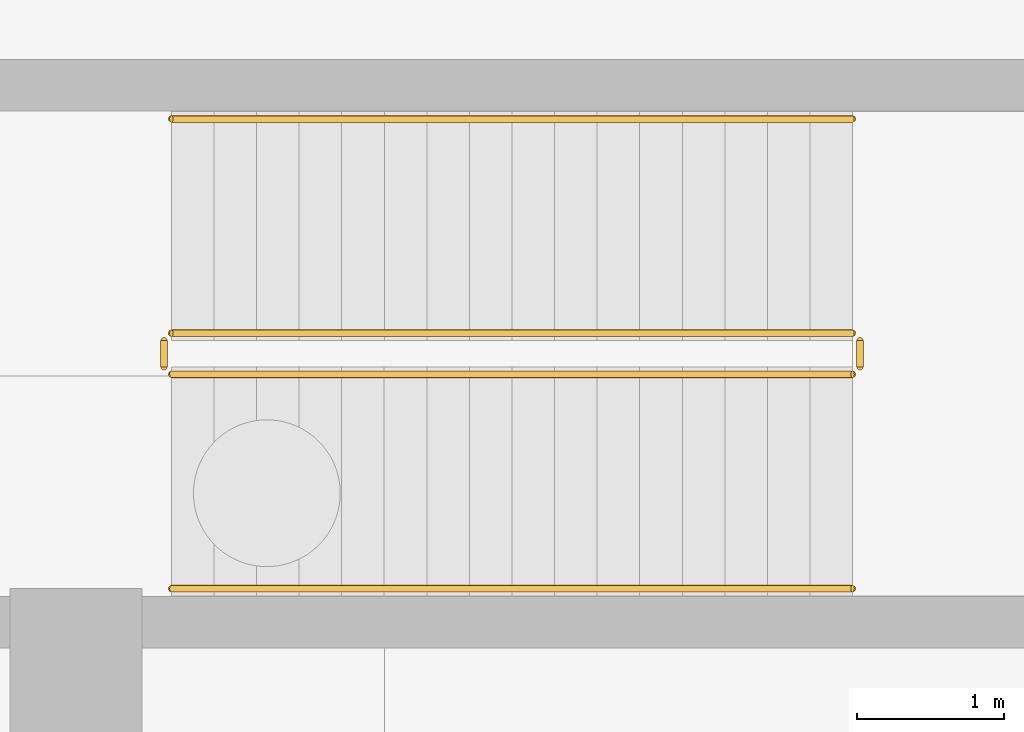
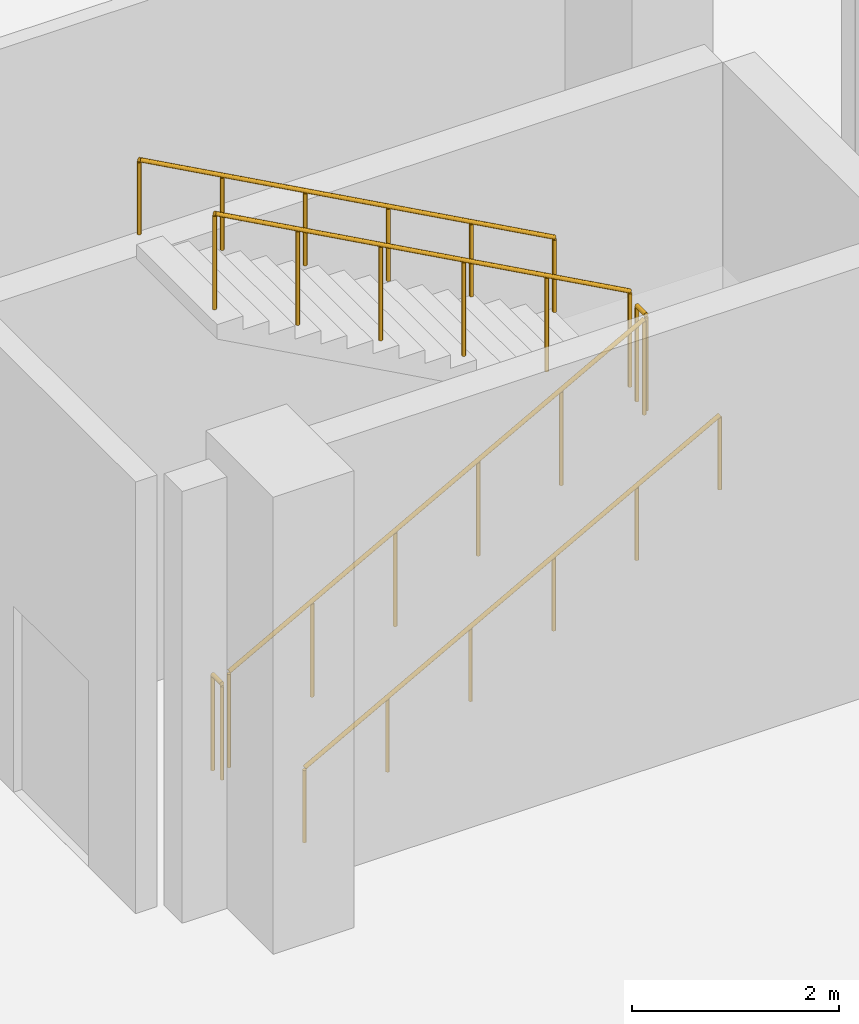
# One storey, part 18 of 20: 6 railings.
"""IFC4 building model written with IfcOpenShell, lengths in metres."""

from ifc_helpers import new_model, si_unit, direction, frame, origin, origin_2d, place, context, subcontext, project, spatial, circle, extrude, material, type_object, element, save


model = new_model("IFC4")

# Units and contexts
model_context = context("Model", 3, precision=1e-05, world=origin(), true_north=direction((0.0, 1.0)))
body_context = subcontext(model_context, "Body", "Model", "MODEL_VIEW")
ifc_project = project(units=[si_unit("LENGTHUNIT", "METRE"), si_unit("AREAUNIT", "SQUARE_METRE"), si_unit("VOLUMEUNIT", "CUBIC_METRE"), si_unit("PLANEANGLEUNIT", "RADIAN"), si_unit("MASSUNIT", "GRAM", prefix="KILO")], contexts=[model_context])

# Site, building, storey
site_placement = place(None, origin())
site = spatial("IfcSite", under=ifc_project, at=site_placement, CompositionType="ELEMENT")
building_placement = place(site_placement, origin())
building = spatial("IfcBuilding", under=site, at=building_placement, Name="Shengluoqiao Park Theatre", CompositionType="ELEMENT")
storey_placement = place(building_placement, frame((0.0, 0.0, -5.39990234375)))
storey = spatial("IfcBuildingStorey", under=building, at=storey_placement, Name="B1", CompositionType="ELEMENT", Elevation=-5.39990234375)

# Railings
ifc_material_1 = material(Name="Painted steel", Category="steel")
railing_type_1 = type_object("IfcRailingType", Name="INT-RL-STGRD", PredefinedType="GUARDRAIL", material=ifc_material_1)
railing_1_placement = place(storey_placement, frame((104.64990234375, 86.110107421875, 0.15869140625)))
element("IfcRailing", 1, at=railing_1_placement, inside=storey, type_object=railing_type_1, Name="B1 ST-05 stair guard 1", PredefinedType="GUARDRAIL", context=body_context, shape_type="SweptSolid", body=[
    extrude(circle(Radius=0.02392578125, at=origin_2d()), frame((0.0, 0.0, 1.1259765625), z_axis=(0.877077751873, 0.0, 0.480348433087), x_axis=(0.0, 1.0, 0.0)), (0.0, 0.0, 1.0), 5.29052734375),
    extrude(circle(Radius=0.02099609375, at=origin_2d()), origin(), (0.0, 0.0, 1.0), 1.101806640625),
    extrude(circle(Radius=0.02099609375, at=origin_2d()), frame((0.927978515625, 0.0, 0.50830078125)), (0.0, 0.0, 1.0), 1.101806640625),
    extrude(circle(Radius=0.02099609375, at=origin_2d()), frame((1.85595703125, 0.0, 1.0166015625)), (0.0, 0.0, 1.0), 1.101806640625),
    extrude(circle(Radius=0.02099609375, at=origin_2d()), frame((2.7841796875, 0.0, 1.524658203125)), (0.0, 0.0, 1.0), 1.101806640625),
    extrude(circle(Radius=0.02099609375, at=origin_2d()), frame((3.712158203125, 0.0, 2.032958984375)), (0.0, 0.0, 1.0), 1.101806640625),
    extrude(circle(Radius=0.02099609375, at=origin_2d()), frame((4.64013671875, 0.0, 2.541259765625)), (0.0, 0.0, 1.0), 1.101806640625),
])
railing_2_placement = place(storey_placement, frame((109.340087890625, 86.159912109375, 2.699951171875)))
element("IfcRailing", 2, at=railing_2_placement, inside=storey, type_object=railing_type_1, Name="B1 ST-05 stair guard 2", PredefinedType="GUARDRAIL", context=body_context, shape_type="SweptSolid", body=[
    extrude(circle(Radius=0.02392578125, at=origin_2d()), frame((0.0, 0.0, 1.1259765625), z_axis=(0.0, 1.0, 0.0), x_axis=(-1.0, 0.0, 0.0)), (0.0, 0.0, 1.0), 0.18017578125),
    extrude(circle(Radius=0.02099609375, at=origin_2d()), origin(), (0.0, 0.0, 1.0), 1.101806640625),
    extrude(circle(Radius=0.02099609375, at=origin_2d()), frame((0.0, 0.18017578125, 0.0)), (0.0, 0.0, 1.0), 1.101806640625),
])
railing_3_placement = place(storey_placement, frame((109.2900390625, 86.389892578125, 2.858642578125)))
element("IfcRailing", 3, at=railing_3_placement, inside=storey, type_object=railing_type_1, Name="B1 ST-05 stair guard 3", PredefinedType="GUARDRAIL", context=body_context, shape_type="SweptSolid", body=[
    extrude(circle(Radius=0.02392578125, at=origin_2d()), frame((0.0, 0.0, 1.1259765625), z_axis=(-0.877077751873, 0.0, 0.480348433087), x_axis=(0.0, -1.0, 0.0)), (0.0, 0.0, 1.0), 5.29052734375),
    extrude(circle(Radius=0.02099609375, at=origin_2d()), origin(), (0.0, 0.0, 1.0), 1.101806640625),
    extrude(circle(Radius=0.02099609375, at=origin_2d()), frame((-0.927978515625, 0.0, 0.50830078125)), (0.0, 0.0, 1.0), 1.101806640625),
    extrude(circle(Radius=0.02099609375, at=origin_2d()), frame((-1.85595703125, 0.0, 1.0166015625)), (0.0, 0.0, 1.0), 1.101806640625),
    extrude(circle(Radius=0.02099609375, at=origin_2d()), frame((-2.7841796875, 0.0, 1.524658203125)), (0.0, 0.0, 1.0), 1.101806640625),
    extrude(circle(Radius=0.02099609375, at=origin_2d()), frame((-3.712158203125, 0.0, 2.032958984375)), (0.0, 0.0, 1.0), 1.101806640625),
    extrude(circle(Radius=0.02099609375, at=origin_2d()), frame((-4.64013671875, 0.0, 2.541259765625)), (0.0, 0.0, 1.0), 1.101806640625),
])
railing_4_placement = place(storey_placement, frame((104.60009765625, 86.159912109375, 0.0)))
element("IfcRailing", 4, at=railing_4_placement, inside=storey, type_object=railing_type_1, Name="B1 ST-05 stair guard 4", PredefinedType="GUARDRAIL", context=body_context, shape_type="SweptSolid", body=[
    extrude(circle(Radius=0.02392578125, at=origin_2d()), frame((0.0, 0.0, 1.1259765625), z_axis=(0.0, 1.0, 0.0), x_axis=(-1.0, 0.0, 0.0)), (0.0, 0.0, 1.0), 0.18017578125),
    extrude(circle(Radius=0.02099609375, at=origin_2d()), origin(), (0.0, 0.0, 1.0), 1.101806640625),
    extrude(circle(Radius=0.02099609375, at=origin_2d()), frame((0.0, 0.18017578125, 0.0)), (0.0, 0.0, 1.0), 1.101806640625),
])
ifc_material_2 = material(Name="Stainless steel 304", Category="steel")
railing_type_2 = type_object("IfcRailingType", Name="INT-RL-STHR", PredefinedType="HANDRAIL", material=ifc_material_2)
railing_5_placement = place(storey_placement, frame((104.64990234375, 84.64990234375, 0.15869140625)))
element("IfcRailing", 5, at=railing_5_placement, inside=storey, type_object=railing_type_2, Name="B1 ST-05 stair handrail 1", PredefinedType="HANDRAIL", context=body_context, shape_type="SweptSolid", body=[
    extrude(circle(Radius=0.02392578125, at=origin_2d()), frame((0.0, 0.0, 0.8759765625), z_axis=(0.877077751873, 0.0, 0.480348433087), x_axis=(0.0, 1.0, 0.0)), (0.0, 0.0, 1.0), 5.29052734375),
    extrude(circle(Radius=0.02099609375, at=origin_2d()), origin(), (0.0, 0.0, 1.0), 0.851806640625),
    extrude(circle(Radius=0.02099609375, at=origin_2d()), frame((0.927978515625, 0.0, 0.50830078125)), (0.0, 0.0, 1.0), 0.851806640625),
    extrude(circle(Radius=0.02099609375, at=origin_2d()), frame((1.85595703125, 0.0, 1.0166015625)), (0.0, 0.0, 1.0), 0.851806640625),
    extrude(circle(Radius=0.02099609375, at=origin_2d()), frame((2.7841796875, 0.0, 1.524658203125)), (0.0, 0.0, 1.0), 0.851806640625),
    extrude(circle(Radius=0.02099609375, at=origin_2d()), frame((3.712158203125, 0.0, 2.032958984375)), (0.0, 0.0, 1.0), 0.851806640625),
    extrude(circle(Radius=0.02099609375, at=origin_2d()), frame((4.64013671875, 0.0, 2.541259765625)), (0.0, 0.0, 1.0), 0.851806640625),
])
railing_6_placement = place(storey_placement, frame((109.2900390625, 87.85009765625, 2.858642578125)))
element("IfcRailing", 6, at=railing_6_placement, inside=storey, type_object=railing_type_2, Name="B1 ST-05 stair handrail 2", PredefinedType="HANDRAIL", context=body_context, shape_type="SweptSolid", body=[
    extrude(circle(Radius=0.02392578125, at=origin_2d()), frame((0.0, 0.0, 0.8759765625), z_axis=(-0.877077751873, 0.0, 0.480348433087), x_axis=(0.0, -1.0, 0.0)), (0.0, 0.0, 1.0), 5.29052734375),
    extrude(circle(Radius=0.02099609375, at=origin_2d()), origin(), (0.0, 0.0, 1.0), 0.851806640625),
    extrude(circle(Radius=0.02099609375, at=origin_2d()), frame((-0.927978515625, 0.0, 0.50830078125)), (0.0, 0.0, 1.0), 0.851806640625),
    extrude(circle(Radius=0.02099609375, at=origin_2d()), frame((-1.85595703125, 0.0, 1.0166015625)), (0.0, 0.0, 1.0), 0.851806640625),
    extrude(circle(Radius=0.02099609375, at=origin_2d()), frame((-2.7841796875, 0.0, 1.524658203125)), (0.0, 0.0, 1.0), 0.851806640625),
    extrude(circle(Radius=0.02099609375, at=origin_2d()), frame((-3.712158203125, 0.0, 2.032958984375)), (0.0, 0.0, 1.0), 0.851806640625),
    extrude(circle(Radius=0.02099609375, at=origin_2d()), frame((-4.64013671875, 0.0, 2.541259765625)), (0.0, 0.0, 1.0), 0.851806640625),
])

save(model, "model.ifc")
